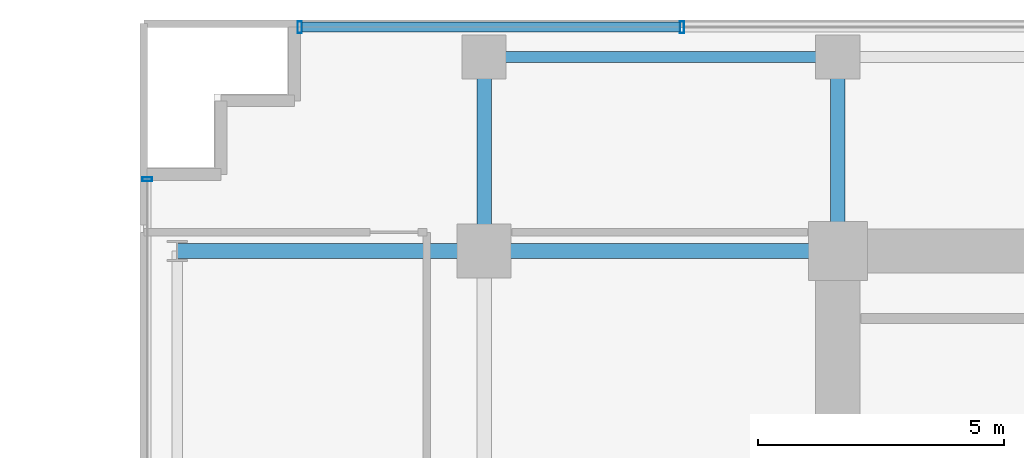
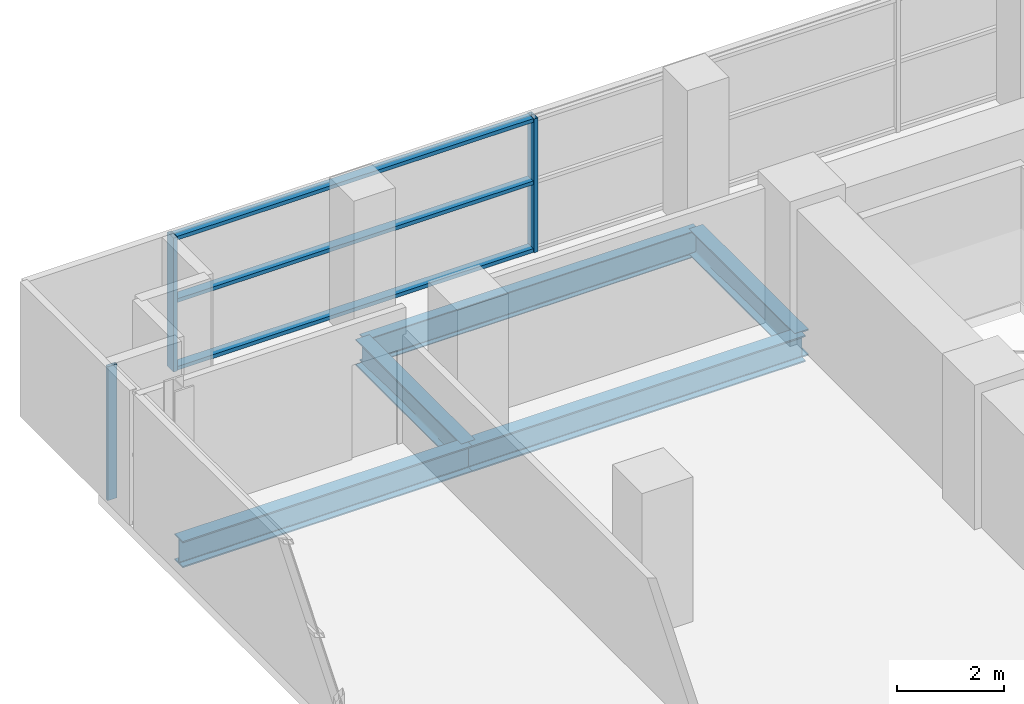
# One storey, part 18 of 31: 6 members, 5 beams, 2 elements without a shape of their own.
"""IFC4 building model written with IfcOpenShell, lengths in metres."""

from ifc_helpers import new_model, si_unit, direction, frame, origin, origin_2d, place, context, subcontext, project, spatial, hollow_rectangle, i_section, extrude, source, transform, mapped, material, layer, layer_set, material_profile, profile_set, type_object, element, aggregate, save


model = new_model("IFC4")

# Units and contexts
model_context = context("Model", 3, precision=1e-05, world=origin(), true_north=direction((0.0, 1.0)))
body_context = subcontext(model_context, "Body", "Model", "MODEL_VIEW")
ifc_project = project(units=[si_unit("LENGTHUNIT", "METRE"), si_unit("AREAUNIT", "SQUARE_METRE"), si_unit("VOLUMEUNIT", "CUBIC_METRE"), si_unit("PLANEANGLEUNIT", "RADIAN"), si_unit("MASSUNIT", "GRAM", prefix="KILO")], contexts=[model_context])

# Site, building, storey
site_placement = place(None, origin())
site = spatial("IfcSite", under=ifc_project, at=site_placement, CompositionType="ELEMENT")
building_placement = place(site_placement, origin())
building = spatial("IfcBuilding", under=site, at=building_placement, Name="Zarnakvel Exchange Tower", CompositionType="ELEMENT")
storey_placement = place(building_placement, frame((0.0, 0.0, 60.39990234375)))
storey = spatial("IfcBuildingStorey", under=building, at=storey_placement, Name="L16", CompositionType="ELEMENT", Elevation=60.39990234375)

# Beams
ifc_material_1 = material(Name="Steel S355", Category="steel")
ifc_material_profile_1 = material_profile(ifc_material_1, i_section(OverallWidth=0.300048828125, OverallDepth=0.60009765625, WebThickness=0.015380859375, FlangeThickness=0.030029296875, FilletRadius=0.027099609375, at=origin_2d()))
ifc_profile_set_1 = profile_set([ifc_material_profile_1], Name="Steel S355")
beam_type_1 = type_object("IfcBeamType", Name="G-04", PredefinedType="BEAM", material=ifc_profile_set_1)
beam_1_placement = place(storey_placement, frame((-27.85009765625, 13.5, -0.52490234375), z_axis=(1.0, 0.0, 0.0), x_axis=(0.0, 1.0, 0.0)))
element("IfcBeam", 1, at=beam_1_placement, inside=storey, type_object=beam_type_1, Name="L16 Tower E-W Frame Beam", PredefinedType="BEAM", context=body_context, shape_type="SweptSolid", body=[
    extrude(i_section(OverallWidth=0.300048828125, OverallDepth=0.60009765625, WebThickness=0.015380859375, FlangeThickness=0.030029296875, FilletRadius=0.027099609375, at=origin_2d()), origin(), (0.0, 0.0, 1.0), 6.25),
])
beam_2_placement = place(storey_placement, frame((-21.60009765625, 13.5, -0.52490234375), z_axis=(1.0, 0.0, 0.0), x_axis=(0.0, 1.0, 0.0)))
element("IfcBeam", 2, at=beam_2_placement, inside=storey, type_object=beam_type_1, Name="L16 Tower E-W Frame Beam", PredefinedType="BEAM", context=body_context, shape_type="SweptSolid", body=[
    extrude(i_section(OverallWidth=0.300048828125, OverallDepth=0.60009765625, WebThickness=0.015380859375, FlangeThickness=0.030029296875, FilletRadius=0.027099609375, at=origin_2d()), origin(), (0.0, 0.0, 1.0), 7.2001953125),
])
for number, where, z_axis, x_axis, name in (
    (3, (-21.60009765625, 13.5, -0.52490234375), (0.0, 1.0, 0.0), (-1.0, 0.0, 0.0), "L16 Tower N-S Frame Beam"),
    (4, (-14.39990234375, 13.5, -0.52490234375), (0.0, 1.0, 0.0), (-1.0, 0.0, 0.0), "L16 Tower N-S Frame Beam"),
):
    element("IfcBeam", number, at=place(storey_placement, frame(where, z_axis=z_axis, x_axis=x_axis)), inside=storey, type_object=beam_type_1, Name=name, PredefinedType="BEAM", context=body_context, shape_type="SweptSolid", body=[
        extrude(i_section(OverallWidth=0.300048828125, OverallDepth=0.60009765625, WebThickness=0.015380859375, FlangeThickness=0.030029296875, FilletRadius=0.027099609375, at=origin_2d()), origin(), (0.0, 0.0, 1.0), 3.949951171875),
    ])
ifc_material_profile_2 = material_profile(ifc_material_1, i_section(OverallWidth=0.219970703125, OverallDepth=0.60009765625, WebThickness=0.011962890625, FlangeThickness=0.01904296875, FilletRadius=0.02392578125, at=origin_2d()))
ifc_profile_set_2 = profile_set([ifc_material_profile_2], Name="Steel S355")
beam_type_2 = type_object("IfcBeamType", Name="SP-01", PredefinedType="SPANDREL", material=ifc_profile_set_2)
beam_3_placement = place(storey_placement, frame((-21.60009765625, 17.449951171875, -0.52490234375), z_axis=(1.0, 0.0, 0.0), x_axis=(0.0, 1.0, 0.0)))
element("IfcBeam", 5, at=beam_3_placement, inside=storey, type_object=beam_type_2, Name="L16 Tower E-W Frame Beam", PredefinedType="SPANDREL", context=body_context, shape_type="SweptSolid", body=[
    extrude(i_section(OverallWidth=0.219970703125, OverallDepth=0.60009765625, WebThickness=0.011962890625, FlangeThickness=0.01904296875, FilletRadius=0.02392578125, at=origin_2d()), origin(), (0.0, 0.0, 1.0), 7.2001953125),
])

# Curtain wall, members
ifc_material_2 = material(Name="Architectural Bronze Anodised Aluminium", Category="aluminium")
ifc_layer_1 = layer(ifc_material_2, 0.239990234375)
ifc_layer_set_1 = layer_set([ifc_layer_1], Name="Architectural Bronze Anodised Aluminium")
curtain_wall_type_1 = type_object("IfcCurtainWallType", Name="CW-02", PredefinedType="NOTDEFINED", material=ifc_layer_set_1)
curtain_wall_1_placement = place(storey_placement, origin())
curtain_wall_1 = element("IfcCurtainWall", 6, at=curtain_wall_1_placement, inside=storey, type_object=curtain_wall_type_1, Name="L16 Curtain Wall CW-L16-N1 (CW-02)", PredefinedType="NOTDEFINED")
ifc_material_profile_3 = material_profile(ifc_material_2, hollow_rectangle(XDim=0.239990234375, YDim=0.090087890625, WallThickness=0.006103515625, at=origin_2d()))
ifc_profile_set_3 = profile_set([ifc_material_profile_3], Name="Architectural Bronze Anodised Aluminium")
member_type_1 = type_object("IfcMemberType", Name="CWM-02", PredefinedType="MULLION", material=ifc_profile_set_3)
shared_shape_1 = source(origin(), body_context, "Body", "SweptSolid", [
    extrude(hollow_rectangle(XDim=0.239990234375, YDim=0.090087890625, WallThickness=0.006103515625, at=origin_2d()), origin(), (0.0, 0.0, 1.0), 3.05517578125),
])
member_1_placement = place(storey_placement, frame((-25.35498046875, 18.06005859375, 0.0), z_axis=(0.0, 0.0, 1.0), x_axis=(0.0, 1.0, 0.0)))
member_1 = element("IfcMember", 7, at=member_1_placement, type_object=member_type_1, Name="CW-02 mullion 1", PredefinedType="MULLION", context=body_context, shape_type="MappedRepresentation", body=[
    mapped(shared_shape_1, transform((0.0, 0.0, 0.0), x_axis=(1.0, 0.0, 0.0), y_axis=(0.0, 1.0, 0.0), z_axis=(0.0, 0.0, 1.0), scale=1.0)),
])
member_2_placement = place(storey_placement, frame((-17.571533203125, 18.06005859375, 0.0), z_axis=(0.0, 0.0, 1.0), x_axis=(0.0, 1.0, 0.0)))
member_2 = element("IfcMember", 8, at=member_2_placement, type_object=member_type_1, Name="CW-02 mullion 2", PredefinedType="MULLION", context=body_context, shape_type="MappedRepresentation", body=[
    mapped(shared_shape_1, transform((0.0, 0.0, 0.0), x_axis=(1.0, 0.0, 0.0), y_axis=(0.0, 1.0, 0.0), z_axis=(0.0, 0.0, 1.0), scale=1.0)),
])
ifc_material_profile_4 = material_profile(ifc_material_2, hollow_rectangle(XDim=0.199951171875, YDim=0.0849609375, WallThickness=0.0048828125, at=origin_2d()))
ifc_profile_set_4 = profile_set([ifc_material_profile_4], Name="Architectural Bronze Anodised Aluminium")
member_type_2 = type_object("IfcMemberType", Name="CWT-02", PredefinedType="USERDEFINED", material=ifc_profile_set_4)
shared_shape_2 = source(origin(), body_context, "Body", "SweptSolid", [
    extrude(hollow_rectangle(XDim=0.199951171875, YDim=0.0849609375, WallThickness=0.0048828125, at=origin_2d()), origin(), (0.0, 0.0, 1.0), 7.693603515625),
])
member_3_placement = place(storey_placement, frame((-25.31005859375, 18.06005859375, 0.04248046875), z_axis=(1.0, 0.0, 0.0), x_axis=(0.0, 1.0, 0.0)))
member_3 = element("IfcMember", 9, at=member_3_placement, type_object=member_type_2, Name="CW-02 transom 1.1", ObjectType="TRANSOM", PredefinedType="USERDEFINED", context=body_context, shape_type="MappedRepresentation", body=[
    mapped(shared_shape_2, transform((0.0, 0.0, 0.0), x_axis=(1.0, 0.0, 0.0), y_axis=(0.0, 1.0, 0.0), z_axis=(0.0, 0.0, 1.0), scale=1.0)),
])
member_4_placement = place(storey_placement, frame((-25.31005859375, 18.06005859375, 1.588623046875), z_axis=(1.0, 0.0, 0.0), x_axis=(0.0, 1.0, 0.0)))
member_4 = element("IfcMember", 10, at=member_4_placement, type_object=member_type_2, Name="CW-02 transom 1.2", ObjectType="TRANSOM", PredefinedType="USERDEFINED", context=body_context, shape_type="MappedRepresentation", body=[
    mapped(shared_shape_2, transform((0.0, 0.0, 0.0), x_axis=(1.0, 0.0, 0.0), y_axis=(0.0, 1.0, 0.0), z_axis=(0.0, 0.0, 1.0), scale=1.0)),
])
member_5_placement = place(storey_placement, frame((-25.31005859375, 18.06005859375, 3.0126953125), z_axis=(1.0, 0.0, 0.0), x_axis=(0.0, 1.0, 0.0)))
member_5 = element("IfcMember", 11, at=member_5_placement, type_object=member_type_2, Name="CW-02 transom 1.3", ObjectType="TRANSOM", PredefinedType="USERDEFINED", context=body_context, shape_type="MappedRepresentation", body=[
    mapped(shared_shape_2, transform((0.0, 0.0, 0.0), x_axis=(1.0, 0.0, 0.0), y_axis=(0.0, 1.0, 0.0), z_axis=(0.0, 0.0, 1.0), scale=1.0)),
])
aggregate(curtain_wall_1, [member_1, member_2, member_3, member_4, member_5])

# Curtain wall, member
ifc_layer_2 = layer(ifc_material_2, 0.199951171875)
ifc_layer_set_2 = layer_set([ifc_layer_2], Name="Architectural Bronze Anodised Aluminium")
curtain_wall_type_2 = type_object("IfcCurtainWallType", Name="CW-04", PredefinedType="NOTDEFINED", material=ifc_layer_set_2)
curtain_wall_2_placement = place(storey_placement, origin())
curtain_wall_2 = element("IfcCurtainWall", 12, at=curtain_wall_2_placement, inside=storey, type_object=curtain_wall_type_2, Name="L16 Curtain Wall CW-L16-WN (CW-04)", PredefinedType="NOTDEFINED")
ifc_material_profile_5 = material_profile(ifc_material_2, hollow_rectangle(XDim=0.199951171875, YDim=0.074951171875, WallThickness=0.0048828125, at=origin_2d()))
ifc_profile_set_5 = profile_set([ifc_material_profile_5], Name="Architectural Bronze Anodised Aluminium")
member_type_3 = type_object("IfcMemberType", Name="CWM-04", PredefinedType="MULLION", material=ifc_profile_set_5)
shared_shape_3 = source(origin(), body_context, "Body", "SweptSolid", [
    extrude(hollow_rectangle(XDim=0.199951171875, YDim=0.074951171875, WallThickness=0.0048828125, at=origin_2d()), origin(), (0.0, 0.0, 1.0), 3.05517578125),
])
member_6_placement = place(storey_placement, frame((-28.4599609375, 14.96240234375, 0.0), z_axis=(0.0, 0.0, 1.0), x_axis=(-1.0, 0.0, 0.0)))
member_6 = element("IfcMember", 13, at=member_6_placement, type_object=member_type_3, Name="CW-04 mullion 3", PredefinedType="MULLION", context=body_context, shape_type="MappedRepresentation", body=[
    mapped(shared_shape_3, transform((0.0, 0.0, 0.0), x_axis=(1.0, 0.0, 0.0), y_axis=(0.0, 1.0, 0.0), z_axis=(0.0, 0.0, 1.0), scale=1.0)),
])
aggregate(curtain_wall_2, [member_6])

save(model, "model.ifc")
